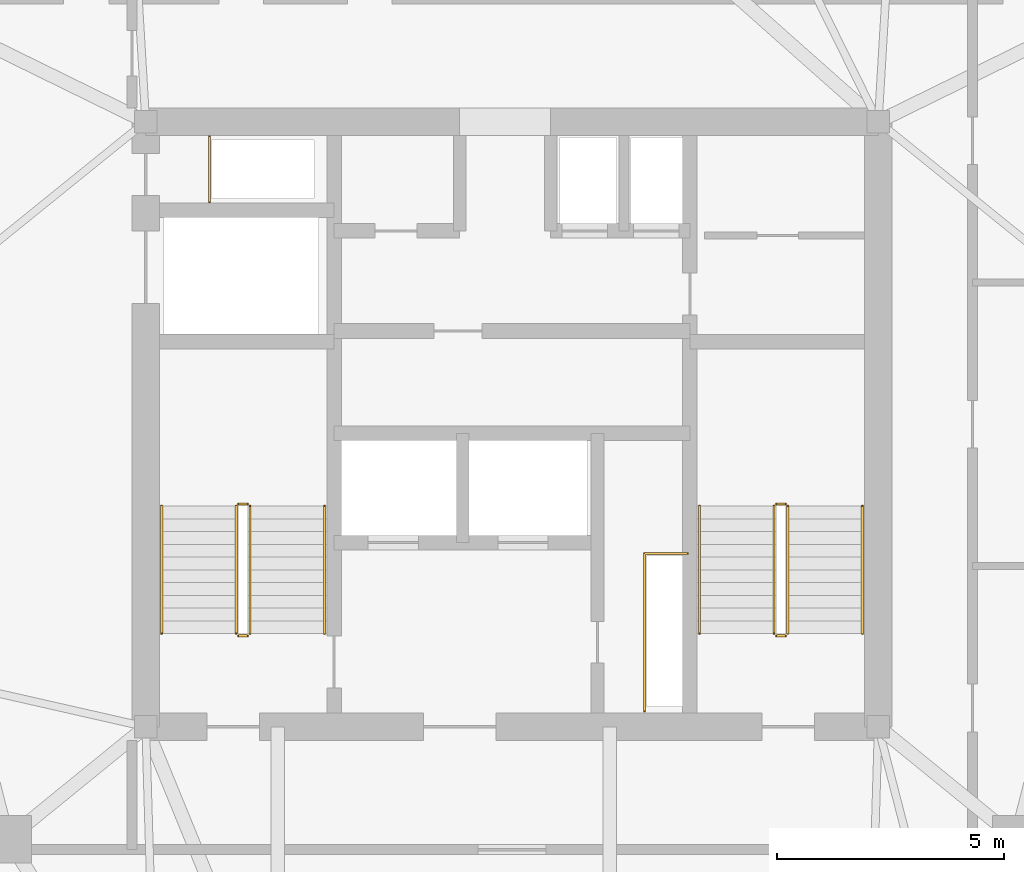
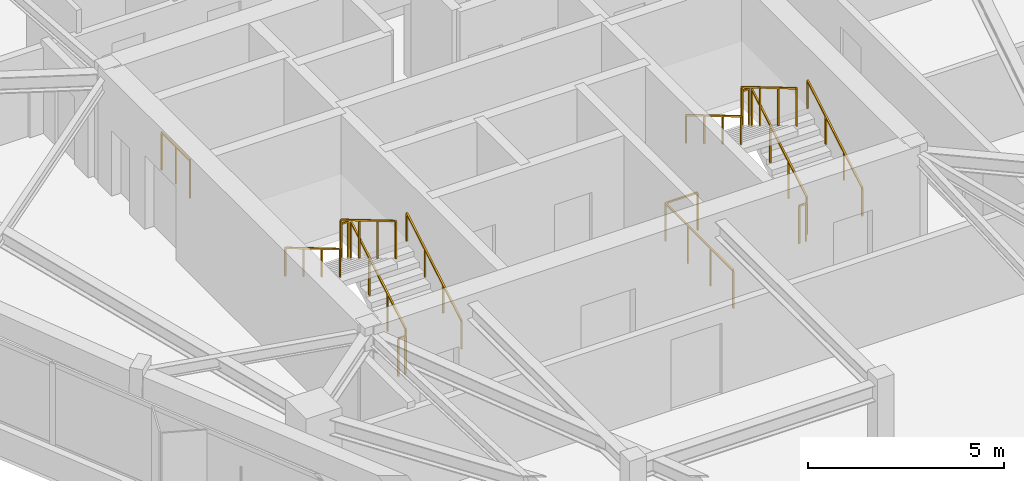
# One storey, part 11 of 11: 14 railings.
"""IFC4 building model written with IfcOpenShell, lengths in metres."""

from ifc_helpers import new_model, si_unit, direction, frame, origin, origin_2d, place, context, subcontext, project, spatial, rectangle, extrude, material, type_object, element, save


model = new_model("IFC4")

# Units and contexts
model_context = context("Model", 3, precision=1e-05, world=origin(), true_north=direction((0.0, 1.0)))
body_context = subcontext(model_context, "Body", "Model", "MODEL_VIEW")
ifc_project = project(units=[si_unit("LENGTHUNIT", "METRE"), si_unit("AREAUNIT", "SQUARE_METRE"), si_unit("VOLUMEUNIT", "CUBIC_METRE"), si_unit("PLANEANGLEUNIT", "RADIAN"), si_unit("MASSUNIT", "GRAM", prefix="KILO")], contexts=[model_context])

# Site, building, storey
site_placement = place(None, origin())
site = spatial("IfcSite", under=ifc_project, at=site_placement, CompositionType="ELEMENT")
building_placement = place(site_placement, origin())
building = spatial("IfcBuilding", under=site, at=building_placement, Name="Talyreon Biosciences Tower", CompositionType="ELEMENT")
storey_placement = place(building_placement, frame((0.0, 0.0, 283.800048828125)))
storey = spatial("IfcBuildingStorey", under=building, at=storey_placement, Name="L75", CompositionType="ELEMENT", Elevation=283.800048828125)

# Railings
ifc_material_1 = material(Name="Brushed stainless-steel tubular handrail", Category="steel")
railing_type_1 = type_object("IfcRailingType", Name="StairWallHandrail_900", PredefinedType="HANDRAIL", material=ifc_material_1)
railing_1_placement = place(storey_placement, frame((61.8798828125, 63.39990234375, 0.165771484375)))
element("IfcRailing", 1, at=railing_1_placement, inside=storey, type_object=railing_type_1, Name="L75 ST-1 stair handrail 1", PredefinedType="HANDRAIL", context=body_context, shape_type="SweptSolid", body=[
    extrude(rectangle(XDim=0.048095703125, YDim=0.048095703125, at=origin_2d()), frame((0.0, 0.0, 0.8759765625), z_axis=(0.0, 0.860306154799, 0.50977771628), x_axis=(-1.0, 0.0, 0.0)), (0.0, 0.0, 1.0), 3.254638671875),
    extrude(rectangle(XDim=0.0419921875, YDim=0.0419921875, at=origin_2d()), origin(), (0.0, 0.0, 1.0), 0.851806640625),
    extrude(rectangle(XDim=0.0419921875, YDim=0.0419921875, at=origin_2d()), frame((0.0, 0.933349609375, 0.552978515625)), (0.0, 0.0, 1.0), 0.851806640625),
    extrude(rectangle(XDim=0.0419921875, YDim=0.0419921875, at=origin_2d()), frame((0.0, 1.86669921875, 1.106201171875)), (0.0, 0.0, 1.0), 0.851806640625),
    extrude(rectangle(XDim=0.0419921875, YDim=0.0419921875, at=origin_2d()), frame((0.0, 2.800048828125, 1.6591796875)), (0.0, 0.0, 1.0), 0.851806640625),
])
railing_2_placement = place(storey_placement, frame((58.300048828125, 66.199951171875, 1.990966796875)))
element("IfcRailing", 2, at=railing_2_placement, inside=storey, type_object=railing_type_1, Name="L75 ST-1 stair handrail 2", PredefinedType="HANDRAIL", context=body_context, shape_type="SweptSolid", body=[
    extrude(rectangle(XDim=0.048095703125, YDim=0.048095703125, at=origin_2d()), frame((0.0, 0.0, 0.8759765625), z_axis=(0.0, -0.860339051648, 0.50972219513), x_axis=(1.0, 0.0, 0.0)), (0.0, 0.0, 1.0), 3.254638671875),
    extrude(rectangle(XDim=0.0419921875, YDim=0.0419921875, at=origin_2d()), origin(), (0.0, 0.0, 1.0), 0.851806640625),
    extrude(rectangle(XDim=0.0419921875, YDim=0.0419921875, at=origin_2d()), frame((0.0, -0.933349609375, 0.552978515625)), (0.0, 0.0, 1.0), 0.851806640625),
    extrude(rectangle(XDim=0.0419921875, YDim=0.0419921875, at=origin_2d()), frame((0.0, -1.86669921875, 1.10595703125)), (0.0, 0.0, 1.0), 0.851806640625),
    extrude(rectangle(XDim=0.0419921875, YDim=0.0419921875, at=origin_2d()), frame((0.0, -2.800048828125, 1.658935546875)), (0.0, 0.0, 1.0), 0.851806640625),
])
railing_3_placement = place(storey_placement, frame((73.699951171875, 63.39990234375, 0.165771484375)))
element("IfcRailing", 3, at=railing_3_placement, inside=storey, type_object=railing_type_1, Name="L75 ST-2 stair handrail 1", PredefinedType="HANDRAIL", context=body_context, shape_type="SweptSolid", body=[
    extrude(rectangle(XDim=0.048095703125, YDim=0.048095703125, at=origin_2d()), frame((0.0, 0.0, 0.8759765625), z_axis=(0.0, 0.860306154799, 0.50977771628), x_axis=(-1.0, 0.0, 0.0)), (0.0, 0.0, 1.0), 3.254638671875),
    extrude(rectangle(XDim=0.0419921875, YDim=0.0419921875, at=origin_2d()), origin(), (0.0, 0.0, 1.0), 0.851806640625),
    extrude(rectangle(XDim=0.0419921875, YDim=0.0419921875, at=origin_2d()), frame((0.0, 0.933349609375, 0.552978515625)), (0.0, 0.0, 1.0), 0.851806640625),
    extrude(rectangle(XDim=0.0419921875, YDim=0.0419921875, at=origin_2d()), frame((0.0, 1.86669921875, 1.106201171875)), (0.0, 0.0, 1.0), 0.851806640625),
    extrude(rectangle(XDim=0.0419921875, YDim=0.0419921875, at=origin_2d()), frame((0.0, 2.800048828125, 1.6591796875)), (0.0, 0.0, 1.0), 0.851806640625),
])
railing_4_placement = place(storey_placement, frame((70.1201171875, 66.199951171875, 1.990966796875)))
element("IfcRailing", 4, at=railing_4_placement, inside=storey, type_object=railing_type_1, Name="L75 ST-2 stair handrail 2", PredefinedType="HANDRAIL", context=body_context, shape_type="SweptSolid", body=[
    extrude(rectangle(XDim=0.048095703125, YDim=0.048095703125, at=origin_2d()), frame((0.0, 0.0, 0.8759765625), z_axis=(0.0, -0.860339051648, 0.50972219513), x_axis=(1.0, 0.0, 0.0)), (0.0, 0.0, 1.0), 3.254638671875),
    extrude(rectangle(XDim=0.0419921875, YDim=0.0419921875, at=origin_2d()), origin(), (0.0, 0.0, 1.0), 0.851806640625),
    extrude(rectangle(XDim=0.0419921875, YDim=0.0419921875, at=origin_2d()), frame((0.0, -0.933349609375, 0.552978515625)), (0.0, 0.0, 1.0), 0.851806640625),
    extrude(rectangle(XDim=0.0419921875, YDim=0.0419921875, at=origin_2d()), frame((0.0, -1.86669921875, 1.10595703125)), (0.0, 0.0, 1.0), 0.851806640625),
    extrude(rectangle(XDim=0.0419921875, YDim=0.0419921875, at=origin_2d()), frame((0.0, -2.800048828125, 1.658935546875)), (0.0, 0.0, 1.0), 0.851806640625),
])
ifc_material_2 = material(Name="Painted galvanised steel post-and-rail balustrade", Category="steel")
railing_type_2 = type_object("IfcRailingType", Name="TerraceStairGuard_1200", PredefinedType="GUARDRAIL", material=ifc_material_2)
railing_5_placement = place(storey_placement, frame((60.239990234375, 63.39990234375, 0.165771484375)))
element("IfcRailing", 5, at=railing_5_placement, inside=storey, type_object=railing_type_2, Name="L75 ST-1 stair guard 1", PredefinedType="GUARDRAIL", context=body_context, shape_type="SweptSolid", body=[
    extrude(rectangle(XDim=0.048095703125, YDim=0.048095703125, at=origin_2d()), frame((0.0, 0.0, 1.17578125), z_axis=(0.0, 0.860306154799, 0.50977771628), x_axis=(-1.0, 0.0, 0.0)), (0.0, 0.0, 1.0), 3.254638671875),
    extrude(rectangle(XDim=0.0419921875, YDim=0.0419921875, at=origin_2d()), origin(), (0.0, 0.0, 1.0), 1.15185546875),
    extrude(rectangle(XDim=0.0419921875, YDim=0.0419921875, at=origin_2d()), frame((0.0, 0.933349609375, 0.552978515625)), (0.0, 0.0, 1.0), 1.15185546875),
    extrude(rectangle(XDim=0.0419921875, YDim=0.0419921875, at=origin_2d()), frame((0.0, 1.86669921875, 1.106201171875)), (0.0, 0.0, 1.0), 1.15185546875),
    extrude(rectangle(XDim=0.0419921875, YDim=0.0419921875, at=origin_2d()), frame((0.0, 2.800048828125, 1.6591796875)), (0.0, 0.0, 1.0), 1.15185546875),
])
railing_6_placement = place(storey_placement, frame((60.18994140625, 66.25, 1.824951171875)))
element("IfcRailing", 6, at=railing_6_placement, inside=storey, type_object=railing_type_2, Name="L75 ST-1 stair guard 2", PredefinedType="GUARDRAIL", context=body_context, shape_type="SweptSolid", body=[
    extrude(rectangle(XDim=0.048095703125, YDim=0.048095703125, at=origin_2d()), frame((0.0, 0.0, 1.17578125), z_axis=(-1.0, 0.0, 0.0), x_axis=(0.0, -1.0, 0.0)), (0.0, 0.0, 1.0), 0.199951171875),
    extrude(rectangle(XDim=0.0419921875, YDim=0.0419921875, at=origin_2d()), origin(), (0.0, 0.0, 1.0), 1.15185546875),
    extrude(rectangle(XDim=0.0419921875, YDim=0.0419921875, at=origin_2d()), frame((-0.199951171875, 0.0, 0.0)), (0.0, 0.0, 1.0), 1.15185546875),
])
railing_7_placement = place(storey_placement, frame((59.93994140625, 66.199951171875, 1.990966796875)))
element("IfcRailing", 7, at=railing_7_placement, inside=storey, type_object=railing_type_2, Name="L75 ST-1 stair guard 3", PredefinedType="GUARDRAIL", context=body_context, shape_type="SweptSolid", body=[
    extrude(rectangle(XDim=0.048095703125, YDim=0.048095703125, at=origin_2d()), frame((0.0, 0.0, 1.17578125), z_axis=(0.0, -0.860339051648, 0.50972219513), x_axis=(1.0, 0.0, 0.0)), (0.0, 0.0, 1.0), 3.254638671875),
    extrude(rectangle(XDim=0.0419921875, YDim=0.0419921875, at=origin_2d()), origin(), (0.0, 0.0, 1.0), 1.15185546875),
    extrude(rectangle(XDim=0.0419921875, YDim=0.0419921875, at=origin_2d()), frame((0.0, -0.933349609375, 0.552978515625)), (0.0, 0.0, 1.0), 1.15185546875),
    extrude(rectangle(XDim=0.0419921875, YDim=0.0419921875, at=origin_2d()), frame((0.0, -1.86669921875, 1.10595703125)), (0.0, 0.0, 1.0), 1.15185546875),
    extrude(rectangle(XDim=0.0419921875, YDim=0.0419921875, at=origin_2d()), frame((0.0, -2.800048828125, 1.658935546875)), (0.0, 0.0, 1.0), 1.15185546875),
])
railing_8_placement = place(storey_placement, frame((60.18994140625, 63.35009765625, 0.0)))
element("IfcRailing", 8, at=railing_8_placement, inside=storey, type_object=railing_type_2, Name="L75 ST-1 stair guard 4", PredefinedType="GUARDRAIL", context=body_context, shape_type="SweptSolid", body=[
    extrude(rectangle(XDim=0.048095703125, YDim=0.048095703125, at=origin_2d()), frame((0.0, 0.0, 1.17578125), z_axis=(-1.0, 0.0, 0.0), x_axis=(0.0, -1.0, 0.0)), (0.0, 0.0, 1.0), 0.199951171875),
    extrude(rectangle(XDim=0.0419921875, YDim=0.0419921875, at=origin_2d()), origin(), (0.0, 0.0, 1.0), 1.15185546875),
    extrude(rectangle(XDim=0.0419921875, YDim=0.0419921875, at=origin_2d()), frame((-0.199951171875, 0.0, 0.0)), (0.0, 0.0, 1.0), 1.15185546875),
])
railing_9_placement = place(storey_placement, frame((72.06005859375, 63.39990234375, 0.165771484375)))
element("IfcRailing", 9, at=railing_9_placement, inside=storey, type_object=railing_type_2, Name="L75 ST-2 stair guard 1", PredefinedType="GUARDRAIL", context=body_context, shape_type="SweptSolid", body=[
    extrude(rectangle(XDim=0.048095703125, YDim=0.048095703125, at=origin_2d()), frame((0.0, 0.0, 1.17578125), z_axis=(0.0, 0.860306154799, 0.50977771628), x_axis=(-1.0, 0.0, 0.0)), (0.0, 0.0, 1.0), 3.254638671875),
    extrude(rectangle(XDim=0.0419921875, YDim=0.0419921875, at=origin_2d()), origin(), (0.0, 0.0, 1.0), 1.15185546875),
    extrude(rectangle(XDim=0.0419921875, YDim=0.0419921875, at=origin_2d()), frame((0.0, 0.933349609375, 0.552978515625)), (0.0, 0.0, 1.0), 1.15185546875),
    extrude(rectangle(XDim=0.0419921875, YDim=0.0419921875, at=origin_2d()), frame((0.0, 1.86669921875, 1.106201171875)), (0.0, 0.0, 1.0), 1.15185546875),
    extrude(rectangle(XDim=0.0419921875, YDim=0.0419921875, at=origin_2d()), frame((0.0, 2.800048828125, 1.6591796875)), (0.0, 0.0, 1.0), 1.15185546875),
])
railing_10_placement = place(storey_placement, frame((72.010009765625, 66.25, 1.824951171875)))
element("IfcRailing", 10, at=railing_10_placement, inside=storey, type_object=railing_type_2, Name="L75 ST-2 stair guard 2", PredefinedType="GUARDRAIL", context=body_context, shape_type="SweptSolid", body=[
    extrude(rectangle(XDim=0.048095703125, YDim=0.048095703125, at=origin_2d()), frame((0.0, 0.0, 1.17578125), z_axis=(-1.0, 0.0, 0.0), x_axis=(0.0, -1.0, 0.0)), (0.0, 0.0, 1.0), 0.199951171875),
    extrude(rectangle(XDim=0.0419921875, YDim=0.0419921875, at=origin_2d()), origin(), (0.0, 0.0, 1.0), 1.15185546875),
    extrude(rectangle(XDim=0.0419921875, YDim=0.0419921875, at=origin_2d()), frame((-0.199951171875, 0.0, 0.0)), (0.0, 0.0, 1.0), 1.15185546875),
])
railing_11_placement = place(storey_placement, frame((71.760009765625, 66.199951171875, 1.990966796875)))
element("IfcRailing", 11, at=railing_11_placement, inside=storey, type_object=railing_type_2, Name="L75 ST-2 stair guard 3", PredefinedType="GUARDRAIL", context=body_context, shape_type="SweptSolid", body=[
    extrude(rectangle(XDim=0.048095703125, YDim=0.048095703125, at=origin_2d()), frame((0.0, 0.0, 1.17578125), z_axis=(0.0, -0.860339051648, 0.50972219513), x_axis=(1.0, 0.0, 0.0)), (0.0, 0.0, 1.0), 3.254638671875),
    extrude(rectangle(XDim=0.0419921875, YDim=0.0419921875, at=origin_2d()), origin(), (0.0, 0.0, 1.0), 1.15185546875),
    extrude(rectangle(XDim=0.0419921875, YDim=0.0419921875, at=origin_2d()), frame((0.0, -0.933349609375, 0.552978515625)), (0.0, 0.0, 1.0), 1.15185546875),
    extrude(rectangle(XDim=0.0419921875, YDim=0.0419921875, at=origin_2d()), frame((0.0, -1.86669921875, 1.10595703125)), (0.0, 0.0, 1.0), 1.15185546875),
    extrude(rectangle(XDim=0.0419921875, YDim=0.0419921875, at=origin_2d()), frame((0.0, -2.800048828125, 1.658935546875)), (0.0, 0.0, 1.0), 1.15185546875),
])
railing_12_placement = place(storey_placement, frame((72.010009765625, 63.35009765625, 0.0)))
element("IfcRailing", 12, at=railing_12_placement, inside=storey, type_object=railing_type_2, Name="L75 ST-2 stair guard 4", PredefinedType="GUARDRAIL", context=body_context, shape_type="SweptSolid", body=[
    extrude(rectangle(XDim=0.048095703125, YDim=0.048095703125, at=origin_2d()), frame((0.0, 0.0, 1.17578125), z_axis=(-1.0, 0.0, 0.0), x_axis=(0.0, -1.0, 0.0)), (0.0, 0.0, 1.0), 0.199951171875),
    extrude(rectangle(XDim=0.0419921875, YDim=0.0419921875, at=origin_2d()), origin(), (0.0, 0.0, 1.0), 1.15185546875),
    extrude(rectangle(XDim=0.0419921875, YDim=0.0419921875, at=origin_2d()), frame((-0.199951171875, 0.0, 0.0)), (0.0, 0.0, 1.0), 1.15185546875),
])
railing_13_placement = place(storey_placement, frame((59.35009765625, 72.8798828125, 0.0)))
element("IfcRailing", 13, at=railing_13_placement, inside=storey, type_object=railing_type_2, Name="L75 Exhaust Riser Maintenance Guardrail", PredefinedType="GUARDRAIL", context=body_context, shape_type="SweptSolid", body=[
    extrude(rectangle(XDim=0.048095703125, YDim=0.048095703125, at=origin_2d()), frame((0.0, 0.0, 1.17578125), z_axis=(0.0, 1.0, 0.0), x_axis=(-1.0, 0.0, 0.0)), (0.0, 0.0, 1.0), 1.4501953125),
    extrude(rectangle(XDim=0.0419921875, YDim=0.0419921875, at=origin_2d()), origin(), (0.0, 0.0, 1.0), 1.15185546875),
    extrude(rectangle(XDim=0.0419921875, YDim=0.0419921875, at=origin_2d()), frame((0.0, 0.72509765625, 0.0)), (0.0, 0.0, 1.0), 1.15185546875),
    extrude(rectangle(XDim=0.0419921875, YDim=0.0419921875, at=origin_2d()), frame((0.0, 1.4501953125, 0.0)), (0.0, 0.0, 1.0), 1.15185546875),
])
railing_14_placement = place(storey_placement, frame((68.909912109375, 61.699951171875, 0.0)))
element("IfcRailing", 14, at=railing_14_placement, inside=storey, type_object=railing_type_2, Name="L75 Electrical Riser Maintenance Guardrail", PredefinedType="GUARDRAIL", context=body_context, shape_type="SweptSolid", body=[
    extrude(rectangle(XDim=0.048095703125, YDim=0.048095703125, at=origin_2d()), frame((0.0, 0.0, 1.17578125), z_axis=(0.0, 1.0, 0.0), x_axis=(-1.0, 0.0, 0.0)), (0.0, 0.0, 1.0), 3.4599609375),
    extrude(rectangle(XDim=0.048095703125, YDim=0.048095703125, at=origin_2d()), frame((0.0, 3.4599609375, 1.17578125), z_axis=(1.0, 0.0, 0.0), x_axis=(0.0, 1.0, 0.0)), (0.0, 0.0, 1.0), 0.9501953125),
    extrude(rectangle(XDim=0.0419921875, YDim=0.0419921875, at=origin_2d()), origin(), (0.0, 0.0, 1.0), 1.15185546875),
    extrude(rectangle(XDim=0.0419921875, YDim=0.0419921875, at=origin_2d()), frame((0.0, 1.1533203125, 0.0)), (0.0, 0.0, 1.0), 1.15185546875),
    extrude(rectangle(XDim=0.0419921875, YDim=0.0419921875, at=origin_2d()), frame((0.0, 2.306640625, 0.0)), (0.0, 0.0, 1.0), 1.15185546875),
    extrude(rectangle(XDim=0.0419921875, YDim=0.0419921875, at=origin_2d()), frame((0.0, 3.4599609375, 0.0)), (0.0, 0.0, 1.0), 1.15185546875),
    extrude(rectangle(XDim=0.0419921875, YDim=0.0419921875, at=origin_2d()), frame((0.9501953125, 3.4599609375, 0.0)), (0.0, 0.0, 1.0), 1.15185546875),
])

save(model, "model.ifc")
